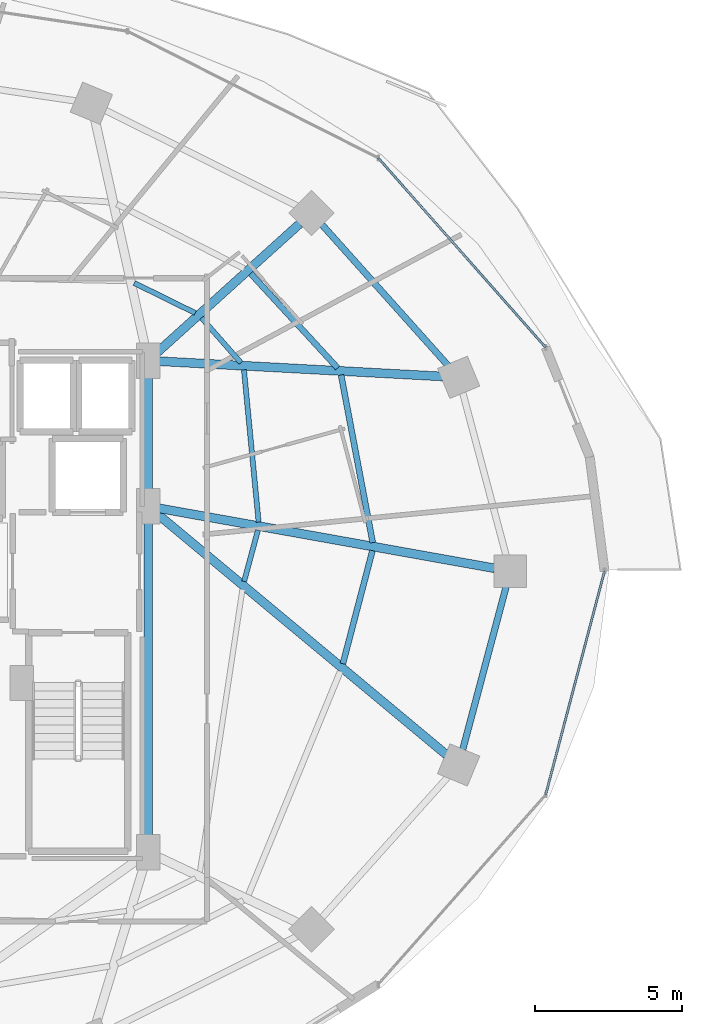
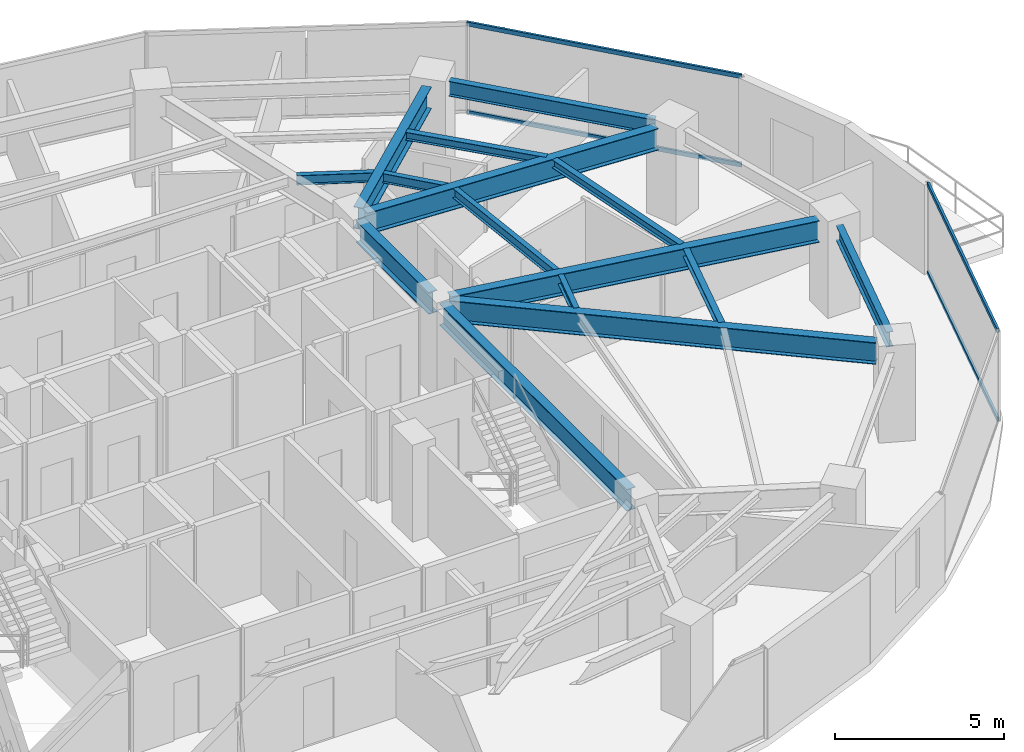
# One storey, part 14 of 29: 15 beams, 4 members, 2 elements without a shape of their own.
"""IFC4 building model written with IfcOpenShell, lengths in metres."""

from ifc_helpers import new_model, si_unit, direction, frame, origin, origin_2d, place, context, subcontext, project, spatial, hollow_rectangle, i_section, extrude, material, material_profile, profile_set, type_object, element, aggregate, save


model = new_model("IFC4")

# Units and contexts
model_context = context("Model", 3, precision=1e-05, world=origin(), true_north=direction((0.0, 1.0)))
body_context = subcontext(model_context, "Body", "Model", "MODEL_VIEW")
ifc_project = project(units=[si_unit("LENGTHUNIT", "METRE"), si_unit("AREAUNIT", "SQUARE_METRE"), si_unit("VOLUMEUNIT", "CUBIC_METRE"), si_unit("PLANEANGLEUNIT", "RADIAN"), si_unit("MASSUNIT", "GRAM", prefix="KILO")], contexts=[model_context])

# Site, building, storey
site_placement = place(None, origin())
site = spatial("IfcSite", under=ifc_project, at=site_placement, CompositionType="ELEMENT")
building_placement = place(site_placement, origin())
building = spatial("IfcBuilding", under=site, at=building_placement, Name="Vorneva Point Tower", CompositionType="ELEMENT")
storey_placement = place(building_placement, frame((0.0, 0.0, 117.300048828125)))
storey = spatial("IfcBuildingStorey", under=building, at=storey_placement, Name="L31", CompositionType="ELEMENT", Elevation=117.300048828125)

# Beams
ifc_material_1 = material(Name="Steel S355", Category="steel")
ifc_material_profile_1 = material_profile(ifc_material_1, i_section(OverallWidth=0.300048828125, OverallDepth=0.7880859375, WebThickness=0.014404296875, FlangeThickness=0.02197265625, at=origin_2d()), Name="80Sh1")
ifc_profile_set_1 = profile_set([ifc_material_profile_1], Name="Steel S355")
beam_type_1 = type_object("IfcBeamType", Name="BM-GRD-80Sh1", PredefinedType="USERDEFINED", material=ifc_profile_set_1)
beam_1_placement = place(storey_placement, frame((60.5205078125, 26.0947265625, 2.845947265625), z_axis=(-0.984378310682, 0.176066298476, 0.0), x_axis=(-0.176066298476, -0.984378310682, 0.0)))
element("IfcBeam", 1, at=beam_1_placement, inside=storey, type_object=beam_type_1, Name="L31 Radial Primary Girder 01", ObjectType="GIRDER", PredefinedType="USERDEFINED", context=body_context, shape_type="SweptSolid", body=[
    extrude(i_section(OverallWidth=0.300048828125, OverallDepth=0.7880859375, WebThickness=0.014404296875, FlangeThickness=0.02197265625, at=origin_2d()), origin(), (0.0, 0.0, 1.0), 11.6171875),
])
beam_2_placement = place(storey_placement, frame((58.75830078125, 32.611083984375, 2.845947265625), z_axis=(-0.998554075878, 0.053756465161, 0.0), x_axis=(-0.053756465161, -0.998554075878, 0.0)))
element("IfcBeam", 2, at=beam_2_placement, inside=storey, type_object=beam_type_1, Name="L31 Radial Primary Girder 02", ObjectType="GIRDER", PredefinedType="USERDEFINED", context=body_context, shape_type="SweptSolid", body=[
    extrude(i_section(OverallWidth=0.300048828125, OverallDepth=0.7880859375, WebThickness=0.014404296875, FlangeThickness=0.02197265625, at=origin_2d()), origin(), (0.0, 0.0, 1.0), 9.6826171875),
])
beam_3_placement = place(storey_placement, frame((53.899658203125, 37.801513671875, 2.845947265625), z_axis=(-0.742097300344, -0.670292172729, 0.0), x_axis=(0.670292172729, -0.742097300344, 0.0)))
element("IfcBeam", 3, at=beam_3_placement, inside=storey, type_object=beam_type_1, Name="L31 Radial Primary Girder 03", ObjectType="GIRDER", PredefinedType="USERDEFINED", context=body_context, shape_type="SweptSolid", body=[
    extrude(i_section(OverallWidth=0.300048828125, OverallDepth=0.7880859375, WebThickness=0.014404296875, FlangeThickness=0.02197265625, at=origin_2d()), origin(), (0.0, 0.0, 1.0), 6.599365234375),
])
beam_4_placement = place(storey_placement, frame((58.882080078125, 19.76220703125, 2.845947265625), z_axis=(-0.768431550428, 0.639931990376, 0.0), x_axis=(-0.639931990376, -0.768431550428, 0.0)))
element("IfcBeam", 4, at=beam_4_placement, inside=storey, type_object=beam_type_1, Name="L31 Radial Primary Girder 16", ObjectType="GIRDER", PredefinedType="USERDEFINED", context=body_context, shape_type="SweptSolid", body=[
    extrude(i_section(OverallWidth=0.300048828125, OverallDepth=0.7880859375, WebThickness=0.014404296875, FlangeThickness=0.02197265625, at=origin_2d()), origin(), (0.0, 0.0, 1.0), 12.845458984375),
])
beam_5_placement = place(storey_placement, frame((48.75, 16.77001953125, 2.845947265625), z_axis=(0.0, 1.0, 0.0), x_axis=(-1.0, 0.0, 0.0)))
element("IfcBeam", 5, at=beam_5_placement, inside=storey, type_object=beam_type_1, Name="L31 Core Tie Girder CT3", ObjectType="GIRDER", PredefinedType="USERDEFINED", context=body_context, shape_type="SweptSolid", body=[
    extrude(i_section(OverallWidth=0.300048828125, OverallDepth=0.7880859375, WebThickness=0.014404296875, FlangeThickness=0.02197265625, at=origin_2d()), origin(), (0.0, 0.0, 1.0), 11.10986328125),
])
beam_6_placement = place(storey_placement, frame((48.75, 28.52001953125, 2.845947265625), z_axis=(0.0, 1.0, 0.0), x_axis=(-1.0, 0.0, 0.0)))
element("IfcBeam", 6, at=beam_6_placement, inside=storey, type_object=beam_type_1, Name="L31 Core Tie Girder CT4", ObjectType="GIRDER", PredefinedType="USERDEFINED", context=body_context, shape_type="SweptSolid", body=[
    extrude(i_section(OverallWidth=0.300048828125, OverallDepth=0.7880859375, WebThickness=0.014404296875, FlangeThickness=0.02197265625, at=origin_2d()), origin(), (0.0, 0.0, 1.0), 4.31005859375),
])
ifc_material_profile_2 = material_profile(ifc_material_1, i_section(OverallWidth=0.199951171875, OverallDepth=0.291015625, WebThickness=0.008056640625, FlangeThickness=0.010986328125, at=origin_2d()), Name="30Sh1")
ifc_profile_set_2 = profile_set([ifc_material_profile_2], Name="Steel S355")
beam_type_2 = type_object("IfcBeamType", Name="BM-SEC-30Sh1", PredefinedType="BEAM", material=ifc_profile_set_2)
beam_7_placement = place(storey_placement, frame((56.3779296875, 26.966796875, 3.094482421875), z_axis=(-0.185445459746, 0.98265455856, 0.0), x_axis=(-0.98265455856, -0.185445459746, 0.0)))
element("IfcBeam", 7, at=beam_7_placement, inside=storey, type_object=beam_type_2, Name="L31 Secondary Floor Beam 1.01", PredefinedType="BEAM", context=body_context, shape_type="SweptSolid", body=[
    extrude(i_section(OverallWidth=0.199951171875, OverallDepth=0.291015625, WebThickness=0.008056640625, FlangeThickness=0.010986328125, at=origin_2d()), origin(), (0.0, 0.0, 1.0), 5.796630859375),
])
beam_8_placement = place(storey_placement, frame((55.18408203125, 32.89990234375, 3.094482421875), z_axis=(-0.677423941883, 0.735592824165, 0.0), x_axis=(-0.735592824165, -0.677423941883, 0.0)))
element("IfcBeam", 8, at=beam_8_placement, inside=storey, type_object=beam_type_2, Name="L31 Secondary Floor Beam 1.02", PredefinedType="BEAM", context=body_context, shape_type="SweptSolid", body=[
    extrude(i_section(OverallWidth=0.199951171875, OverallDepth=0.291015625, WebThickness=0.008056640625, FlangeThickness=0.010986328125, at=origin_2d()), origin(), (0.0, 0.0, 1.0), 4.36083984375),
])
beam_9_placement = place(storey_placement, frame((55.363525390625, 22.85498046875, 3.094482421875), z_axis=(0.253064919309, 0.967449299248, 0.0), x_axis=(-0.967449299248, 0.253064919309, 0.0)))
element("IfcBeam", 9, at=beam_9_placement, inside=storey, type_object=beam_type_2, Name="L31 Secondary Floor Beam 1.16", PredefinedType="BEAM", context=body_context, shape_type="SweptSolid", body=[
    extrude(i_section(OverallWidth=0.199951171875, OverallDepth=0.291015625, WebThickness=0.008056640625, FlangeThickness=0.010986328125, at=origin_2d()), origin(), (0.0, 0.0, 1.0), 3.971923828125),
])
ifc_material_profile_3 = material_profile(ifc_material_1, i_section(OverallWidth=0.174072265625, OverallDepth=0.345947265625, WebThickness=0.006103515625, FlangeThickness=0.009033203125, at=origin_2d()), Name="35B1")
ifc_profile_set_3 = profile_set([ifc_material_profile_3], Name="Steel S355")
beam_type_3 = type_object("IfcBeamType", Name="BM-SEC-35B1", PredefinedType="BEAM", material=ifc_profile_set_3)
beam_10_placement = place(storey_placement, frame((52.502197265625, 27.663818359375, 3.06689453125), z_axis=(-0.095950449471, 0.99538611164, 0.0), x_axis=(-0.99538611164, -0.095950449471, 0.0)))
element("IfcBeam", 10, at=beam_10_placement, inside=storey, type_object=beam_type_3, Name="L31 Secondary Floor Beam 2.01", PredefinedType="BEAM", context=body_context, shape_type="SweptSolid", body=[
    extrude(i_section(OverallWidth=0.174072265625, OverallDepth=0.345947265625, WebThickness=0.006103515625, FlangeThickness=0.009033203125, at=origin_2d()), origin(), (0.0, 0.0, 1.0), 5.1982421875),
])
beam_11_placement = place(storey_placement, frame((51.899169921875, 33.0791015625, 3.06689453125), z_axis=(-0.659826069544, 0.751418364129, 0.0), x_axis=(-0.751418364129, -0.659826069544, 0.0)))
element("IfcBeam", 11, at=beam_11_placement, inside=storey, type_object=beam_type_3, Name="L31 Secondary Floor Beam 2.02", PredefinedType="BEAM", context=body_context, shape_type="SweptSolid", body=[
    extrude(i_section(OverallWidth=0.174072265625, OverallDepth=0.345947265625, WebThickness=0.006103515625, FlangeThickness=0.009033203125, at=origin_2d()), origin(), (0.0, 0.0, 1.0), 2.02587890625),
])
beam_12_placement = place(storey_placement, frame((50.34765625, 34.76611328125, 3.06689453125), z_axis=(-0.896973792336, 0.442083720423, 0.0), x_axis=(-0.442083720423, -0.896973792336, 0.0)))
element("IfcBeam", 12, at=beam_12_placement, inside=storey, type_object=beam_type_3, Name="L31 Secondary Floor Beam 2.03", PredefinedType="BEAM", context=body_context, shape_type="SweptSolid", body=[
    extrude(i_section(OverallWidth=0.174072265625, OverallDepth=0.345947265625, WebThickness=0.006103515625, FlangeThickness=0.009033203125, at=origin_2d()), origin(), (0.0, 0.0, 1.0), 2.306640625),
])
beam_13_placement = place(storey_placement, frame((52.008544921875, 25.6494140625, 3.06689453125), z_axis=(0.260714981089, 0.965415816442, 0.0), x_axis=(-0.965415816442, 0.260714981089, 0.0)))
element("IfcBeam", 13, at=beam_13_placement, inside=storey, type_object=beam_type_3, Name="L31 Secondary Floor Beam 2.16", PredefinedType="BEAM", context=body_context, shape_type="SweptSolid", body=[
    extrude(i_section(OverallWidth=0.174072265625, OverallDepth=0.345947265625, WebThickness=0.006103515625, FlangeThickness=0.009033203125, at=origin_2d()), origin(), (0.0, 0.0, 1.0), 1.806396484375),
])
ifc_material_profile_4 = material_profile(ifc_material_1, i_section(OverallWidth=0.219970703125, OverallDepth=0.54296875, WebThickness=0.009521484375, FlangeThickness=0.013427734375, at=origin_2d()), Name="55B1")
ifc_profile_set_4 = profile_set([ifc_material_profile_4], Name="Steel S355")
beam_type_4 = type_object("IfcBeamType", Name="BM-SPN-55B1", PredefinedType="SPANDREL", material=ifc_profile_set_4)
beam_14_placement = place(storey_placement, frame((58.9384765625, 32.980712890625, 2.968505859375), z_axis=(-0.667073815664, 0.744991627105, 0.0), x_axis=(-0.744991627105, -0.667073815664, 0.0)))
element("IfcBeam", 14, at=beam_14_placement, inside=storey, type_object=beam_type_4, Name="L31 Perimeter Spandrel Ring Beam 02", PredefinedType="SPANDREL", context=body_context, shape_type="SweptSolid", body=[
    extrude(i_section(OverallWidth=0.219970703125, OverallDepth=0.54296875, WebThickness=0.009521484375, FlangeThickness=0.013427734375, at=origin_2d()), origin(), (0.0, 0.0, 1.0), 6.420166015625),
])
beam_15_placement = place(storey_placement, frame((59.43310546875, 19.934814453125, 2.968505859375), z_axis=(0.257572674071, 0.966258928845, 0.0), x_axis=(-0.966258928845, 0.257572674071, 0.0)))
element("IfcBeam", 15, at=beam_15_placement, inside=storey, type_object=beam_type_4, Name="L31 Perimeter Spandrel Ring Beam 16", PredefinedType="SPANDREL", context=body_context, shape_type="SweptSolid", body=[
    extrude(i_section(OverallWidth=0.219970703125, OverallDepth=0.54296875, WebThickness=0.009521484375, FlangeThickness=0.013427734375, at=origin_2d()), origin(), (0.0, 0.0, 1.0), 5.7421875),
])

# Curtain wall, members
ifc_material_2 = material(Name="Pale anodised aluminium", Category="aluminium")
curtain_wall_type = type_object("IfcCurtainWallType", Name="CW-HTL-SYS", PredefinedType="NOTDEFINED", material=ifc_material_2)
curtain_wall_1_placement = place(storey_placement, origin())
curtain_wall_1 = element("IfcCurtainWall", 16, at=curtain_wall_1_placement, inside=storey, type_object=curtain_wall_type, Name="L31 Unitised Curtain Wall CW-L31-R01", PredefinedType="NOTDEFINED")
ifc_material_profile_5 = material_profile(ifc_material_2, hollow_rectangle(XDim=0.074951171875, YDim=0.14990234375, WallThickness=0.00390625, at=origin_2d()), Name="AL-TRN 150x75x4")
ifc_profile_set_5 = profile_set([ifc_material_profile_5], Name="Pale anodised aluminium")
member_type = type_object("IfcMemberType", Name="CW-TRN-150", PredefinedType="USERDEFINED", material=ifc_profile_set_5)
member_1_placement = place(storey_placement, frame((62.251708984375, 33.59619140625, 0.02001953125), z_axis=(-0.662137326257, 0.74938251993, 0.0), x_axis=(-0.74938251993, -0.662137326257, 0.0)))
member_1 = element("IfcMember", 17, at=member_1_placement, type_object=member_type, Name="CW-L31-R01 Transom 01.1", ObjectType="TRANSOM", PredefinedType="USERDEFINED", context=body_context, shape_type="SweptSolid", body=[
    extrude(hollow_rectangle(XDim=0.074951171875, YDim=0.14990234375, WallThickness=0.00390625, at=origin_2d()), origin(), (0.0, 0.0, 1.0), 8.59375),
])
member_2_placement = place(storey_placement, frame((62.251708984375, 33.59619140625, 3.219970703125), z_axis=(-0.662137326257, 0.74938251993, 0.0), x_axis=(-0.74938251993, -0.662137326257, 0.0)))
member_2 = element("IfcMember", 18, at=member_2_placement, type_object=member_type, Name="CW-L31-R01 Transom 01.2", ObjectType="TRANSOM", PredefinedType="USERDEFINED", context=body_context, shape_type="SweptSolid", body=[
    extrude(hollow_rectangle(XDim=0.074951171875, YDim=0.14990234375, WallThickness=0.00390625, at=origin_2d()), origin(), (0.0, 0.0, 1.0), 8.59375),
])
aggregate(curtain_wall_1, [member_1, member_2])

curtain_wall_2_placement = place(storey_placement, origin())
curtain_wall_2 = element("IfcCurtainWall", 19, at=curtain_wall_2_placement, inside=storey, type_object=curtain_wall_type, Name="L31 Unitised Curtain Wall CW-L31-R04", PredefinedType="NOTDEFINED")
member_3_placement = place(storey_placement, frame((62.251708984375, 18.40380859375, 0.02001953125), z_axis=(0.254409150465, 0.967096677773, 0.0), x_axis=(-0.967096677773, 0.254409150465, 0.0)))
member_3 = element("IfcMember", 20, at=member_3_placement, type_object=member_type, Name="CW-L31-R04 Transom 02.1", ObjectType="TRANSOM", PredefinedType="USERDEFINED", context=body_context, shape_type="SweptSolid", body=[
    extrude(hollow_rectangle(XDim=0.074951171875, YDim=0.14990234375, WallThickness=0.00390625, at=origin_2d()), origin(), (0.0, 0.0, 1.0), 7.854736328125),
])
member_4_placement = place(storey_placement, frame((62.251708984375, 18.40380859375, 3.219970703125), z_axis=(0.254409150465, 0.967096677773, 0.0), x_axis=(-0.967096677773, 0.254409150465, 0.0)))
member_4 = element("IfcMember", 21, at=member_4_placement, type_object=member_type, Name="CW-L31-R04 Transom 02.2", ObjectType="TRANSOM", PredefinedType="USERDEFINED", context=body_context, shape_type="SweptSolid", body=[
    extrude(hollow_rectangle(XDim=0.074951171875, YDim=0.14990234375, WallThickness=0.00390625, at=origin_2d()), origin(), (0.0, 0.0, 1.0), 7.854736328125),
])
aggregate(curtain_wall_2, [member_3, member_4])

save(model, "model.ifc")
